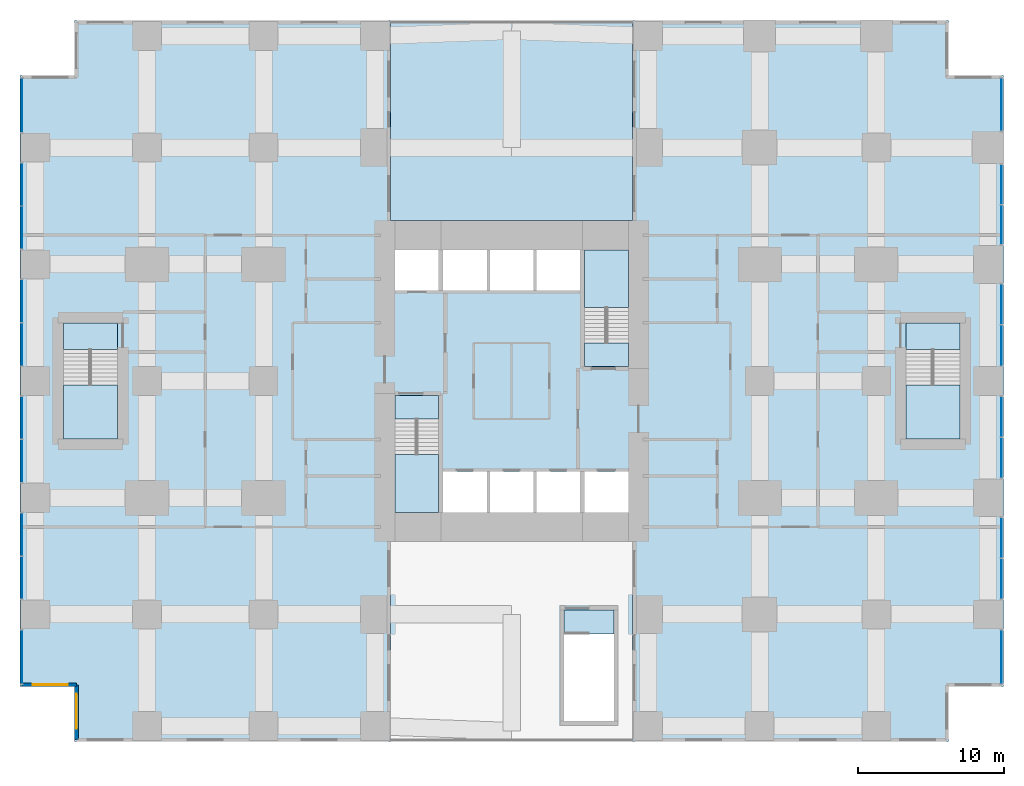
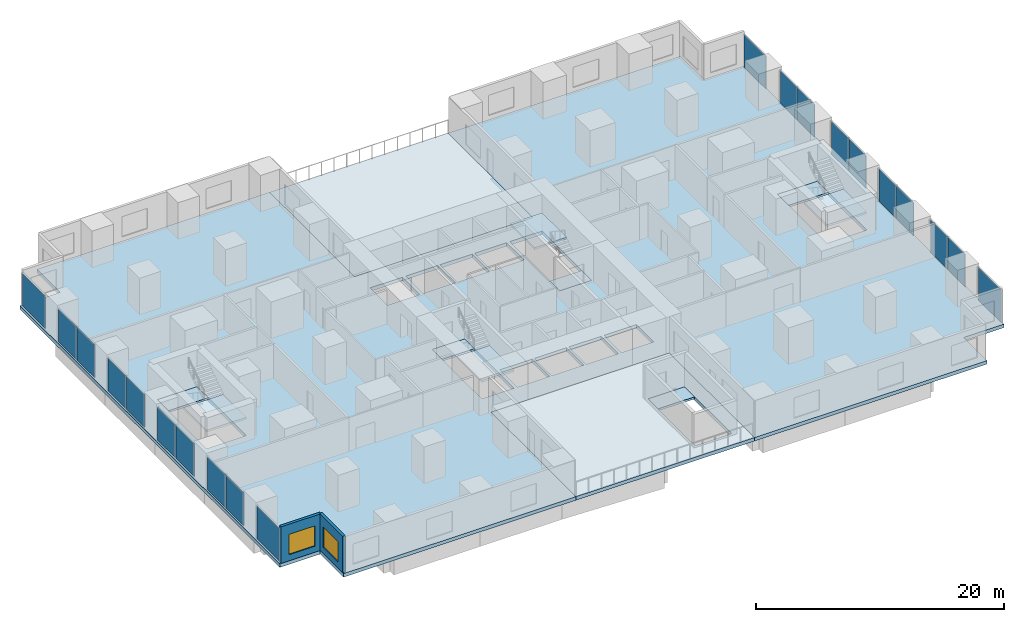
# One storey, part 9 of 15: 20 plates, 12 slabs, 2 walls, 2 windows, 2 openings, 16 elements without a shape of their own.
"""IFC4 building model written with IfcOpenShell, lengths in metres."""

from ifc_helpers import new_model, si_unit, direction, frame, frame_2d, origin, origin_2d, place, context, subcontext, project, spatial, polyline, rectangle, outline, extrude, material, layer, layer_set, type_object, element, fill, aggregate, save


model = new_model("IFC4")

# Units and contexts
model_context = context("Model", 3, precision=1e-05, world=origin(), true_north=direction((0.0, 1.0)))
body_context = subcontext(model_context, "Body", "Model", "MODEL_VIEW")
ifc_project = project(units=[si_unit("LENGTHUNIT", "METRE"), si_unit("AREAUNIT", "SQUARE_METRE"), si_unit("VOLUMEUNIT", "CUBIC_METRE"), si_unit("PLANEANGLEUNIT", "RADIAN"), si_unit("MASSUNIT", "GRAM", prefix="KILO")], contexts=[model_context])

# Site, building, storey
site_placement = place(None, origin())
site = spatial("IfcSite", under=ifc_project, at=site_placement, CompositionType="ELEMENT")
building_placement = place(site_placement, origin())
building = spatial("IfcBuilding", under=site, at=building_placement, Name="Cleftline Residences", CompositionType="ELEMENT")
storey_placement = place(building_placement, frame((0.0, 0.0, 26.0)))
storey = spatial("IfcBuildingStorey", under=building, at=storey_placement, Name="L05", CompositionType="ELEMENT", Elevation=26.0)

# Curtain wall, plate
ifc_material_1 = material(Name="Aluminium framed curtain wall", Category="aluminium")
ifc_layer_1 = layer(ifc_material_1, 0.199951171875)
ifc_layer_set_1 = layer_set([ifc_layer_1], Name="CW4 SKY LOUNGE GLAZING")
curtain_wall_type = type_object("IfcCurtainWallType", Name="CW4 SKY LOUNGE GLAZING", PredefinedType="NOTDEFINED", material=ifc_layer_set_1)
curtain_wall_1_placement = place(storey_placement, origin())
curtain_wall_1 = element("IfcCurtainWall", 1, at=curtain_wall_1_placement, inside=storey, type_object=curtain_wall_type, Name="Curtain wall CW4", PredefinedType="NOTDEFINED")
ifc_material_2 = material(Name="Laminated clear glass", Category="glass")
ifc_layer_2 = layer(ifc_material_2, 0.028076171875)
ifc_layer_set_2 = layer_set([ifc_layer_2], Name="CW4 GLASS PANEL")
plate_type = type_object("IfcPlateType", Name="CW4 GLASS PANEL", PredefinedType="CURTAIN_PANEL", material=ifc_layer_set_2)
plate_1_placement = place(storey_placement, frame((66.574951171875, 5.08740234375, 0.06494140625), z_axis=(0.0, 0.0, 1.0), x_axis=(0.0, 1.0, 0.0)))
plate_1 = element("IfcPlate", 2, at=plate_1_placement, type_object=plate_type, Name="CW4 panel 1.1", PredefinedType="CURTAIN_PANEL", context=body_context, shape_type="SweptSolid", body=[
    extrude(rectangle(XDim=3.695068359375, YDim=0.028076171875, at=origin_2d()), origin(), (0.0, 0.0, 1.0), 3.219970703125),
])
aggregate(curtain_wall_1, [plate_1])

# Curtain wall, plates
curtain_wall_2_placement = place(storey_placement, origin())
curtain_wall_2 = element("IfcCurtainWall", 3, at=curtain_wall_2_placement, inside=storey, type_object=curtain_wall_type, Name="Curtain wall CW4", PredefinedType="NOTDEFINED")
plate_2_placement = place(storey_placement, frame((66.574951171875, 10.441162109375, 0.06494140625), z_axis=(0.0, 0.0, 1.0), x_axis=(0.0, 1.0, 0.0)))
plate_2 = element("IfcPlate", 4, at=plate_2_placement, type_object=plate_type, Name="CW4 panel 1.1", PredefinedType="CURTAIN_PANEL", context=body_context, shape_type="SweptSolid", body=[
    extrude(rectangle(XDim=2.75244140625, YDim=0.028076171875, at=origin_2d()), origin(), (0.0, 0.0, 1.0), 3.219970703125),
])
plate_3_placement = place(storey_placement, frame((66.574951171875, 13.2587890625, 0.06494140625), z_axis=(0.0, 0.0, 1.0), x_axis=(0.0, 1.0, 0.0)))
plate_3 = element("IfcPlate", 5, at=plate_3_placement, type_object=plate_type, Name="CW4 panel 2.1", PredefinedType="CURTAIN_PANEL", context=body_context, shape_type="SweptSolid", body=[
    extrude(rectangle(XDim=2.75244140625, YDim=0.028076171875, at=origin_2d()), origin(), (0.0, 0.0, 1.0), 3.219970703125),
])
aggregate(curtain_wall_2, [plate_2, plate_3])

curtain_wall_3_placement = place(storey_placement, origin())
curtain_wall_3 = element("IfcCurtainWall", 6, at=curtain_wall_3_placement, inside=storey, type_object=curtain_wall_type, Name="Curtain wall CW4", PredefinedType="NOTDEFINED")
plate_4_placement = place(storey_placement, frame((66.574951171875, 18.7412109375, 0.06494140625), z_axis=(0.0, 0.0, 1.0), x_axis=(0.0, 1.0, 0.0)))
plate_4 = element("IfcPlate", 7, at=plate_4_placement, type_object=plate_type, Name="CW4 panel 1.1", PredefinedType="CURTAIN_PANEL", context=body_context, shape_type="SweptSolid", body=[
    extrude(rectangle(XDim=2.75244140625, YDim=0.028076171875, at=origin_2d()), origin(), (0.0, 0.0, 1.0), 3.219970703125),
])
plate_5_placement = place(storey_placement, frame((66.574951171875, 21.558837890625, 0.06494140625), z_axis=(0.0, 0.0, 1.0), x_axis=(0.0, 1.0, 0.0)))
plate_5 = element("IfcPlate", 8, at=plate_5_placement, type_object=plate_type, Name="CW4 panel 2.1", PredefinedType="CURTAIN_PANEL", context=body_context, shape_type="SweptSolid", body=[
    extrude(rectangle(XDim=2.75244140625, YDim=0.028076171875, at=origin_2d()), origin(), (0.0, 0.0, 1.0), 3.219970703125),
])
aggregate(curtain_wall_3, [plate_4, plate_5])

curtain_wall_4_placement = place(storey_placement, origin())
curtain_wall_4 = element("IfcCurtainWall", 9, at=curtain_wall_4_placement, inside=storey, type_object=curtain_wall_type, Name="Curtain wall CW4", PredefinedType="NOTDEFINED")
plate_6_placement = place(storey_placement, frame((66.574951171875, 26.441162109375, 0.06494140625), z_axis=(0.0, 0.0, 1.0), x_axis=(0.0, 1.0, 0.0)))
plate_6 = element("IfcPlate", 10, at=plate_6_placement, type_object=plate_type, Name="CW4 panel 1.1", PredefinedType="CURTAIN_PANEL", context=body_context, shape_type="SweptSolid", body=[
    extrude(rectangle(XDim=2.75244140625, YDim=0.028076171875, at=origin_2d()), origin(), (0.0, 0.0, 1.0), 3.219970703125),
])
plate_7_placement = place(storey_placement, frame((66.574951171875, 29.2587890625, 0.06494140625), z_axis=(0.0, 0.0, 1.0), x_axis=(0.0, 1.0, 0.0)))
plate_7 = element("IfcPlate", 11, at=plate_7_placement, type_object=plate_type, Name="CW4 panel 2.1", PredefinedType="CURTAIN_PANEL", context=body_context, shape_type="SweptSolid", body=[
    extrude(rectangle(XDim=2.75244140625, YDim=0.028076171875, at=origin_2d()), origin(), (0.0, 0.0, 1.0), 3.219970703125),
])
aggregate(curtain_wall_4, [plate_6, plate_7])

curtain_wall_5_placement = place(storey_placement, origin())
curtain_wall_5 = element("IfcCurtainWall", 12, at=curtain_wall_5_placement, inside=storey, type_object=curtain_wall_type, Name="Curtain wall CW4", PredefinedType="NOTDEFINED")
plate_8_placement = place(storey_placement, frame((66.574951171875, 34.71630859375, 0.06494140625), z_axis=(0.0, 0.0, 1.0), x_axis=(0.0, 1.0, 0.0)))
plate_8 = element("IfcPlate", 13, at=plate_8_placement, type_object=plate_type, Name="CW4 panel 1.1", PredefinedType="CURTAIN_PANEL", context=body_context, shape_type="SweptSolid", body=[
    extrude(rectangle(XDim=2.702392578125, YDim=0.028076171875, at=origin_2d()), origin(), (0.0, 0.0, 1.0), 3.219970703125),
])
plate_9_placement = place(storey_placement, frame((66.574951171875, 37.483642578125, 0.06494140625), z_axis=(0.0, 0.0, 1.0), x_axis=(0.0, 1.0, 0.0)))
plate_9 = element("IfcPlate", 14, at=plate_9_placement, type_object=plate_type, Name="CW4 panel 2.1", PredefinedType="CURTAIN_PANEL", context=body_context, shape_type="SweptSolid", body=[
    extrude(rectangle(XDim=2.702392578125, YDim=0.028076171875, at=origin_2d()), origin(), (0.0, 0.0, 1.0), 3.219970703125),
])
aggregate(curtain_wall_5, [plate_8, plate_9])

# Curtain wall, plate
curtain_wall_6_placement = place(storey_placement, origin())
curtain_wall_6 = element("IfcCurtainWall", 15, at=curtain_wall_6_placement, inside=storey, type_object=curtain_wall_type, Name="Curtain wall CW4", PredefinedType="NOTDEFINED")
plate_10_placement = place(storey_placement, frame((66.574951171875, 42.96240234375, 0.06494140625), z_axis=(0.0, 0.0, 1.0), x_axis=(0.0, 1.0, 0.0)))
plate_10 = element("IfcPlate", 16, at=plate_10_placement, type_object=plate_type, Name="CW4 panel 1.1", PredefinedType="CURTAIN_PANEL", context=body_context, shape_type="SweptSolid", body=[
    extrude(rectangle(XDim=3.594970703125, YDim=0.028076171875, at=origin_2d()), origin(), (0.0, 0.0, 1.0), 3.219970703125),
])
aggregate(curtain_wall_6, [plate_10])

curtain_wall_7_placement = place(storey_placement, origin())
curtain_wall_7 = element("IfcCurtainWall", 17, at=curtain_wall_7_placement, inside=storey, type_object=curtain_wall_type, Name="Curtain wall CW4", PredefinedType="NOTDEFINED")
plate_11_placement = place(storey_placement, frame((-0.574951171875, 42.91259765625, 0.06494140625), z_axis=(0.0, 0.0, 1.0), x_axis=(0.0, -1.0, 0.0)))
plate_11 = element("IfcPlate", 18, at=plate_11_placement, type_object=plate_type, Name="CW4 panel 1.1", PredefinedType="CURTAIN_PANEL", context=body_context, shape_type="SweptSolid", body=[
    extrude(rectangle(XDim=3.695068359375, YDim=0.028076171875, at=origin_2d()), origin(), (0.0, 0.0, 1.0), 3.219970703125),
])
aggregate(curtain_wall_7, [plate_11])

# Curtain wall, plates
curtain_wall_8_placement = place(storey_placement, origin())
curtain_wall_8 = element("IfcCurtainWall", 19, at=curtain_wall_8_placement, inside=storey, type_object=curtain_wall_type, Name="Curtain wall CW4", PredefinedType="NOTDEFINED")
plate_12_placement = place(storey_placement, frame((-0.574951171875, 37.483642578125, 0.06494140625), z_axis=(0.0, 0.0, 1.0), x_axis=(0.0, -1.0, 0.0)))
plate_12 = element("IfcPlate", 20, at=plate_12_placement, type_object=plate_type, Name="CW4 panel 1.1", PredefinedType="CURTAIN_PANEL", context=body_context, shape_type="SweptSolid", body=[
    extrude(rectangle(XDim=2.902587890625, YDim=0.028076171875, at=origin_2d()), origin(), (0.0, 0.0, 1.0), 3.219970703125),
])
plate_13_placement = place(storey_placement, frame((-0.574951171875, 34.516357421875, 0.06494140625), z_axis=(0.0, 0.0, 1.0), x_axis=(0.0, -1.0, 0.0)))
plate_13 = element("IfcPlate", 21, at=plate_13_placement, type_object=plate_type, Name="CW4 panel 2.1", PredefinedType="CURTAIN_PANEL", context=body_context, shape_type="SweptSolid", body=[
    extrude(rectangle(XDim=2.902587890625, YDim=0.028076171875, at=origin_2d()), origin(), (0.0, 0.0, 1.0), 3.219970703125),
])
aggregate(curtain_wall_8, [plate_12, plate_13])

curtain_wall_9_placement = place(storey_placement, origin())
curtain_wall_9 = element("IfcCurtainWall", 22, at=curtain_wall_9_placement, inside=storey, type_object=curtain_wall_type, Name="Curtain wall CW4", PredefinedType="NOTDEFINED")
plate_14_placement = place(storey_placement, frame((-0.574951171875, 29.483642578125, 0.06494140625), z_axis=(0.0, 0.0, 1.0), x_axis=(0.0, -1.0, 0.0)))
plate_14 = element("IfcPlate", 23, at=plate_14_placement, type_object=plate_type, Name="CW4 panel 1.1", PredefinedType="CURTAIN_PANEL", context=body_context, shape_type="SweptSolid", body=[
    extrude(rectangle(XDim=2.902587890625, YDim=0.028076171875, at=origin_2d()), origin(), (0.0, 0.0, 1.0), 3.219970703125),
])
plate_15_placement = place(storey_placement, frame((-0.574951171875, 26.516357421875, 0.06494140625), z_axis=(0.0, 0.0, 1.0), x_axis=(0.0, -1.0, 0.0)))
plate_15 = element("IfcPlate", 24, at=plate_15_placement, type_object=plate_type, Name="CW4 panel 2.1", PredefinedType="CURTAIN_PANEL", context=body_context, shape_type="SweptSolid", body=[
    extrude(rectangle(XDim=2.902587890625, YDim=0.028076171875, at=origin_2d()), origin(), (0.0, 0.0, 1.0), 3.219970703125),
])
aggregate(curtain_wall_9, [plate_14, plate_15])

curtain_wall_10_placement = place(storey_placement, origin())
curtain_wall_10 = element("IfcCurtainWall", 25, at=curtain_wall_10_placement, inside=storey, type_object=curtain_wall_type, Name="Curtain wall CW4", PredefinedType="NOTDEFINED")
plate_16_placement = place(storey_placement, frame((-0.574951171875, 21.483642578125, 0.06494140625), z_axis=(0.0, 0.0, 1.0), x_axis=(0.0, -1.0, 0.0)))
plate_16 = element("IfcPlate", 26, at=plate_16_placement, type_object=plate_type, Name="CW4 panel 1.1", PredefinedType="CURTAIN_PANEL", context=body_context, shape_type="SweptSolid", body=[
    extrude(rectangle(XDim=2.902587890625, YDim=0.028076171875, at=origin_2d()), origin(), (0.0, 0.0, 1.0), 3.219970703125),
])
plate_17_placement = place(storey_placement, frame((-0.574951171875, 18.516357421875, 0.06494140625), z_axis=(0.0, 0.0, 1.0), x_axis=(0.0, -1.0, 0.0)))
plate_17 = element("IfcPlate", 27, at=plate_17_placement, type_object=plate_type, Name="CW4 panel 2.1", PredefinedType="CURTAIN_PANEL", context=body_context, shape_type="SweptSolid", body=[
    extrude(rectangle(XDim=2.902587890625, YDim=0.028076171875, at=origin_2d()), origin(), (0.0, 0.0, 1.0), 3.219970703125),
])
aggregate(curtain_wall_10, [plate_16, plate_17])

curtain_wall_11_placement = place(storey_placement, origin())
curtain_wall_11 = element("IfcCurtainWall", 28, at=curtain_wall_11_placement, inside=storey, type_object=curtain_wall_type, Name="Curtain wall CW4", PredefinedType="NOTDEFINED")
plate_18_placement = place(storey_placement, frame((-0.574951171875, 13.483642578125, 0.06494140625), z_axis=(0.0, 0.0, 1.0), x_axis=(0.0, -1.0, 0.0)))
plate_18 = element("IfcPlate", 29, at=plate_18_placement, type_object=plate_type, Name="CW4 panel 1.1", PredefinedType="CURTAIN_PANEL", context=body_context, shape_type="SweptSolid", body=[
    extrude(rectangle(XDim=2.902587890625, YDim=0.028076171875, at=origin_2d()), origin(), (0.0, 0.0, 1.0), 3.219970703125),
])
plate_19_placement = place(storey_placement, frame((-0.574951171875, 10.516357421875, 0.06494140625), z_axis=(0.0, 0.0, 1.0), x_axis=(0.0, -1.0, 0.0)))
plate_19 = element("IfcPlate", 30, at=plate_19_placement, type_object=plate_type, Name="CW4 panel 2.1", PredefinedType="CURTAIN_PANEL", context=body_context, shape_type="SweptSolid", body=[
    extrude(rectangle(XDim=2.902587890625, YDim=0.028076171875, at=origin_2d()), origin(), (0.0, 0.0, 1.0), 3.219970703125),
])
aggregate(curtain_wall_11, [plate_18, plate_19])

# Curtain wall, plate
curtain_wall_12_placement = place(storey_placement, origin())
curtain_wall_12 = element("IfcCurtainWall", 31, at=curtain_wall_12_placement, inside=storey, type_object=curtain_wall_type, Name="Curtain wall CW4", PredefinedType="NOTDEFINED")
plate_20_placement = place(storey_placement, frame((-0.574951171875, 5.08740234375, 0.06494140625), z_axis=(0.0, 0.0, 1.0), x_axis=(0.0, -1.0, 0.0)))
plate_20 = element("IfcPlate", 32, at=plate_20_placement, type_object=plate_type, Name="CW4 panel 1.1", PredefinedType="CURTAIN_PANEL", context=body_context, shape_type="SweptSolid", body=[
    extrude(rectangle(XDim=3.695068359375, YDim=0.028076171875, at=origin_2d()), origin(), (0.0, 0.0, 1.0), 3.219970703125),
])
aggregate(curtain_wall_12, [plate_20])

# Slab
ifc_material_3 = material(Name="Concrete B45", Category="concrete")
ifc_layer_3 = layer(ifc_material_3, 0.35009765625)
ifc_layer_set_3 = layer_set([ifc_layer_3], Name="FLOOR SLAB 350")
slab_type_1 = type_object("IfcSlabType", Name="FLOOR SLAB 350", PredefinedType="FLOOR", material=ifc_layer_set_3)
slab_1_placement = place(storey_placement, frame((0.0, 0.0, -0.35009765625)))
element("IfcSlab", 33, at=slab_1_placement, inside=storey, type_object=slab_type_1, Name="Floor slab L05", PredefinedType="FLOOR", context=body_context, shape_type="SweptSolid", body=[
    extrude(outline(polyline([(24.699951171875, 13.0), (41.300048828125, 13.0), (41.300048828125, -0.699951171875), (62.949951171875, -0.699951171875), (62.949951171875, 3.050048828125), (66.699951171875, 3.050048828125), (66.699951171875, 44.949951171875), (62.949951171875, 44.949951171875), (62.949951171875, 48.699951171875), (41.300048828125, 48.699951171875), (41.300048828125, 35.0), (24.699951171875, 35.0), (24.699951171875, 48.699951171875), (3.050048828125, 48.699951171875), (3.050048828125, 44.949951171875), (-0.699951171875, 44.949951171875), (-0.699951171875, 3.050048828125), (3.050048828125, 3.050048828125), (3.050048828125, -0.699951171875), (24.699951171875, -0.699951171875), (24.699951171875, 13.0)]), holes=[polyline([(28.0, 15.0), (28.0, 23.0), (25.0, 23.0), (25.0, 15.0), (28.0, 15.0)]), polyline([(41.0, 25.0), (41.0, 33.0), (38.0, 33.0), (38.0, 25.0), (41.0, 25.0)]), polyline([(28.0, 30.199951171875), (28.0, 33.0), (25.0, 33.0), (25.0, 30.199951171875), (28.0, 30.199951171875)]), polyline([(41.0, 15.0), (41.0, 17.800048828125), (38.0, 17.800048828125), (38.0, 15.0), (41.0, 15.0)]), polyline([(31.300048828125, 15.0), (31.300048828125, 17.800048828125), (28.300048828125, 17.800048828125), (28.300048828125, 15.0), (31.300048828125, 15.0)]), polyline([(34.5, 15.0), (34.5, 17.800048828125), (31.5, 17.800048828125), (31.5, 15.0), (34.5, 15.0)]), polyline([(37.699951171875, 15.0), (37.699951171875, 17.800048828125), (34.699951171875, 17.800048828125), (34.699951171875, 15.0), (37.699951171875, 15.0)]), polyline([(31.300048828125, 30.199951171875), (31.300048828125, 33.0), (28.300048828125, 33.0), (28.300048828125, 30.199951171875), (31.300048828125, 30.199951171875)]), polyline([(34.5, 30.199951171875), (34.5, 33.0), (31.5, 33.0), (31.5, 30.199951171875), (34.5, 30.199951171875)]), polyline([(37.699951171875, 30.199951171875), (37.699951171875, 33.0), (34.699951171875, 33.0), (34.699951171875, 30.199951171875), (37.699951171875, 30.199951171875)]), polyline([(63.72509765625, 20.02490234375), (63.72509765625, 27.97509765625), (60.02490234375, 27.97509765625), (60.02490234375, 20.02490234375), (63.72509765625, 20.02490234375)]), polyline([(5.97509765625, 20.02490234375), (5.97509765625, 27.97509765625), (2.27490234375, 27.97509765625), (2.27490234375, 20.02490234375), (5.97509765625, 20.02490234375)])]), origin(), (0.0, 0.0, 1.0), 0.35009765625),
])

# Stair, slabs
ifc_material_4 = material(Name="Concrete B45, stone treads", Category="masonry")
stair_type_1 = type_object("IfcStairType", Name="STAIR A 1450 WIDE 180 RISER", PredefinedType="HALF_TURN_STAIR", material=ifc_material_4)
stair_1_placement = place(storey_placement, origin())
stair_1 = element("IfcStair", 34, at=stair_1_placement, inside=storey, type_object=stair_type_1, Name="Stair A L05", PredefinedType="HALF_TURN_STAIR")
ifc_material_5 = material(Name="Concrete B45", Category="concrete")
ifc_layer_4 = layer(ifc_material_5, 0.199951171875)
ifc_layer_set_4 = layer_set([ifc_layer_4], Name="STAIR LANDING 200")
slab_type_2 = type_object("IfcSlabType", Name="STAIR LANDING 200", PredefinedType="LANDING", material=ifc_layer_set_4)
slab_2_placement = place(storey_placement, frame((0.0, 0.0, -0.199951171875)))
slab_2 = element("IfcSlab", 35, at=slab_2_placement, type_object=slab_type_2, Name="ST-A landing 1", PredefinedType="LANDING", context=body_context, shape_type="SweptSolid", body=[
    extrude(outline(polyline([(25.0, 21.39990234375), (28.0, 21.39990234375), (28.0, 23.0), (25.0, 23.0), (25.0, 21.39990234375)])), origin(), (0.0, 0.0, 1.0), 0.199951171875),
])
slab_3_placement = place(storey_placement, frame((0.0, 0.0, 1.60009765625)))
slab_3 = element("IfcSlab", 36, at=slab_3_placement, type_object=slab_type_2, Name="ST-A landing 2", PredefinedType="LANDING", context=body_context, shape_type="SweptSolid", body=[
    extrude(outline(polyline([(25.0, 15.0), (28.0, 15.0), (28.0, 18.969970703125), (25.0, 18.969970703125), (25.0, 15.0)])), origin(), (0.0, 0.0, 1.0), 0.199951171875),
])
aggregate(stair_1, [slab_2, slab_3])

ifc_material_6 = material(Name="Concrete B45, stone treads", Category="masonry")
stair_type_2 = type_object("IfcStairType", Name="STAIR B 1450 WIDE 180 RISER", PredefinedType="HALF_TURN_STAIR", material=ifc_material_6)
stair_2_placement = place(storey_placement, origin())
stair_2 = element("IfcStair", 37, at=stair_2_placement, inside=storey, type_object=stair_type_2, Name="Stair B L05", PredefinedType="HALF_TURN_STAIR")
slab_4_placement = place(storey_placement, frame((0.0, 0.0, -0.199951171875)))
slab_4 = element("IfcSlab", 38, at=slab_4_placement, type_object=slab_type_2, Name="ST-B landing 1", PredefinedType="LANDING", context=body_context, shape_type="SweptSolid", body=[
    extrude(outline(polyline([(38.0, 25.0), (41.0, 25.0), (41.0, 26.60009765625), (38.0, 26.60009765625), (38.0, 25.0)])), origin(), (0.0, 0.0, 1.0), 0.199951171875),
])
slab_5_placement = place(storey_placement, frame((0.0, 0.0, 1.60009765625)))
slab_5 = element("IfcSlab", 39, at=slab_5_placement, type_object=slab_type_2, Name="ST-B landing 2", PredefinedType="LANDING", context=body_context, shape_type="SweptSolid", body=[
    extrude(outline(polyline([(38.0, 29.030029296875), (41.0, 29.030029296875), (41.0, 33.0), (38.0, 33.0), (38.0, 29.030029296875)])), origin(), (0.0, 0.0, 1.0), 0.199951171875),
])
aggregate(stair_2, [slab_4, slab_5])

# Slab
slab_6_placement = place(storey_placement, frame((0.0, 0.0, -0.199951171875)))
element("IfcSlab", 40, at=slab_6_placement, inside=storey, type_object=slab_type_2, Name="Stair C2 top landing", PredefinedType="LANDING", context=body_context, shape_type="SweptSolid", body=[
    extrude(outline(polyline([(36.60009765625, 6.669921875), (40.0, 6.669921875), (40.0, 8.300048828125), (36.60009765625, 8.300048828125), (36.60009765625, 6.669921875)])), origin(), (0.0, 0.0, 1.0), 0.199951171875),
])

# Stair, slabs
ifc_material_7 = material(Name="Concrete B45, stone treads", Category="masonry")
stair_type_3 = type_object("IfcStairType", Name="STAIR E 1800 WIDE 180 RISER", PredefinedType="HALF_TURN_STAIR", material=ifc_material_7)
stair_3_placement = place(storey_placement, origin())
stair_3 = element("IfcStair", 41, at=stair_3_placement, inside=storey, type_object=stair_type_3, Name="Stair E L05", PredefinedType="HALF_TURN_STAIR")
slab_7_placement = place(storey_placement, frame((0.0, 0.0, -0.199951171875)))
slab_7 = element("IfcSlab", 42, at=slab_7_placement, type_object=slab_type_2, Name="ST-E landing 1", PredefinedType="LANDING", context=body_context, shape_type="SweptSolid", body=[
    extrude(outline(polyline([(60.02490234375, 26.175048828125), (63.72509765625, 26.175048828125), (63.72509765625, 27.97509765625), (60.02490234375, 27.97509765625), (60.02490234375, 26.175048828125)])), origin(), (0.0, 0.0, 1.0), 0.199951171875),
])
slab_8_placement = place(storey_placement, frame((0.0, 0.0, 1.60009765625)))
slab_8 = element("IfcSlab", 43, at=slab_8_placement, type_object=slab_type_2, Name="ST-E landing 2", PredefinedType="LANDING", context=body_context, shape_type="SweptSolid", body=[
    extrude(outline(polyline([(60.02490234375, 20.02490234375), (63.72509765625, 20.02490234375), (63.72509765625, 23.7451171875), (60.02490234375, 23.7451171875), (60.02490234375, 20.02490234375)])), origin(), (0.0, 0.0, 1.0), 0.199951171875),
])
aggregate(stair_3, [slab_7, slab_8])

ifc_material_8 = material(Name="Concrete B45, stone treads", Category="masonry")
stair_type_4 = type_object("IfcStairType", Name="STAIR W 1800 WIDE 180 RISER", PredefinedType="HALF_TURN_STAIR", material=ifc_material_8)
stair_4_placement = place(storey_placement, origin())
stair_4 = element("IfcStair", 44, at=stair_4_placement, inside=storey, type_object=stair_type_4, Name="Stair W L05", PredefinedType="HALF_TURN_STAIR")
slab_9_placement = place(storey_placement, frame((0.0, 0.0, -0.199951171875)))
slab_9 = element("IfcSlab", 45, at=slab_9_placement, type_object=slab_type_2, Name="ST-W landing 1", PredefinedType="LANDING", context=body_context, shape_type="SweptSolid", body=[
    extrude(outline(polyline([(2.27490234375, 26.175048828125), (5.97509765625, 26.175048828125), (5.97509765625, 27.97509765625), (2.27490234375, 27.97509765625), (2.27490234375, 26.175048828125)])), origin(), (0.0, 0.0, 1.0), 0.199951171875),
])
slab_10_placement = place(storey_placement, frame((0.0, 0.0, 1.60009765625)))
slab_10 = element("IfcSlab", 46, at=slab_10_placement, type_object=slab_type_2, Name="ST-W landing 2", PredefinedType="LANDING", context=body_context, shape_type="SweptSolid", body=[
    extrude(outline(polyline([(2.27490234375, 20.02490234375), (5.97509765625, 20.02490234375), (5.97509765625, 23.7451171875), (2.27490234375, 23.7451171875), (2.27490234375, 20.02490234375)])), origin(), (0.0, 0.0, 1.0), 0.199951171875),
])
aggregate(stair_4, [slab_9, slab_10])

# Slabs
ifc_material_9 = material(Name="Concrete B45", Category="concrete")
ifc_layer_5 = layer(ifc_material_9, 0.35009765625)
ifc_layer_set_5 = layer_set([ifc_layer_5], Name="TERRACE SLAB 350")
slab_type_3 = type_object("IfcSlabType", Name="TERRACE SLAB 350", PredefinedType="FLOOR", material=ifc_layer_set_5)
slab_11_placement = place(storey_placement, frame((0.0, 0.0, -0.35009765625)))
element("IfcSlab", 47, at=slab_11_placement, inside=storey, type_object=slab_type_3, Name="Terrace slab L05 1", PredefinedType="FLOOR", context=body_context, shape_type="SweptSolid", body=[
    extrude(outline(polyline([(41.2900390625, -0.699951171875), (41.291015625, -0.699951171875), (41.2919921875, -0.69970703125), (41.29296875, -0.69970703125), (41.293701171875, -0.69921875), (41.294677734375, -0.69873046875), (41.295654296875, -0.6982421875), (41.29638671875, -0.69775390625), (41.297119140625, -0.697021484375), (41.297607421875, -0.6962890625), (41.29833984375, -0.695556640625), (41.298828125, -0.694580078125), (41.29931640625, -0.69384765625), (41.299560546875, -0.69287109375), (41.2998046875, -0.69189453125), (41.300048828125, -0.69091796875), (41.300048828125, -0.68994140625), (41.300048828125, 12.989990234375), (41.300048828125, 12.990966796875), (41.2998046875, 12.991943359375), (41.299560546875, 12.992919921875), (41.29931640625, 12.993896484375), (41.298828125, 12.99462890625), (41.29833984375, 12.99560546875), (41.297607421875, 12.996337890625), (41.297119140625, 12.9970703125), (41.29638671875, 12.997802734375), (41.295654296875, 12.998291015625), (41.294677734375, 12.998779296875), (41.293701171875, 12.999267578125), (41.29296875, 12.99951171875), (41.2919921875, 12.999755859375), (41.291015625, 13.0), (41.2900390625, 13.0), (24.7099609375, 13.0), (24.708984375, 13.0), (24.7080078125, 12.999755859375), (24.70703125, 12.99951171875), (24.706298828125, 12.999267578125), (24.705322265625, 12.998779296875), (24.704345703125, 12.998291015625), (24.70361328125, 12.997802734375), (24.702880859375, 12.9970703125), (24.702392578125, 12.996337890625), (24.70166015625, 12.99560546875), (24.701171875, 12.99462890625), (24.70068359375, 12.993896484375), (24.700439453125, 12.992919921875), (24.7001953125, 12.991943359375), (24.699951171875, 12.990966796875), (24.699951171875, 12.989990234375), (24.699951171875, -0.68994140625), (24.699951171875, -0.69091796875), (24.7001953125, -0.69189453125), (24.700439453125, -0.69287109375), (24.70068359375, -0.69384765625), (24.701171875, -0.694580078125), (24.70166015625, -0.695556640625), (24.702392578125, -0.6962890625), (24.702880859375, -0.697021484375), (24.70361328125, -0.69775390625), (24.704345703125, -0.6982421875), (24.705322265625, -0.69873046875), (24.706298828125, -0.69921875), (24.70703125, -0.69970703125), (24.7080078125, -0.69970703125), (24.708984375, -0.699951171875), (24.7099609375, -0.699951171875), (41.2900390625, -0.699951171875)]), holes=[polyline([(40.0, 0.699951171875), (40.0, 8.300048828125), (36.60009765625, 8.300048828125), (36.60009765625, 0.699951171875), (40.0, 0.699951171875)])]), origin(), (0.0, 0.0, 1.0), 0.35009765625),
])
slab_12_placement = place(storey_placement, frame((0.0, 0.0, -0.35009765625)))
element("IfcSlab", 48, at=slab_12_placement, inside=storey, type_object=slab_type_3, Name="Terrace slab L05 2", PredefinedType="FLOOR", context=body_context, shape_type="SweptSolid", body=[
    extrude(outline(polyline([(24.7099609375, 48.699951171875), (24.708984375, 48.699951171875), (24.7080078125, 48.69970703125), (24.70703125, 48.69970703125), (24.706298828125, 48.69921875), (24.705322265625, 48.69873046875), (24.704345703125, 48.6982421875), (24.70361328125, 48.69775390625), (24.702880859375, 48.697021484375), (24.702392578125, 48.6962890625), (24.70166015625, 48.695556640625), (24.701171875, 48.694580078125), (24.70068359375, 48.69384765625), (24.700439453125, 48.69287109375), (24.7001953125, 48.69189453125), (24.699951171875, 48.69091796875), (24.699951171875, 48.68994140625), (24.699951171875, 35.010009765625), (24.699951171875, 35.009033203125), (24.7001953125, 35.008056640625), (24.700439453125, 35.007080078125), (24.70068359375, 35.006103515625), (24.701171875, 35.00537109375), (24.70166015625, 35.00439453125), (24.702392578125, 35.003662109375), (24.702880859375, 35.0029296875), (24.70361328125, 35.002197265625), (24.704345703125, 35.001708984375), (24.705322265625, 35.001220703125), (24.706298828125, 35.000732421875), (24.70703125, 35.00048828125), (24.7080078125, 35.000244140625), (24.708984375, 35.0), (24.7099609375, 35.0), (41.2900390625, 35.0), (41.291015625, 35.0), (41.2919921875, 35.000244140625), (41.29296875, 35.00048828125), (41.293701171875, 35.000732421875), (41.294677734375, 35.001220703125), (41.295654296875, 35.001708984375), (41.29638671875, 35.002197265625), (41.297119140625, 35.0029296875), (41.297607421875, 35.003662109375), (41.29833984375, 35.00439453125), (41.298828125, 35.00537109375), (41.29931640625, 35.006103515625), (41.299560546875, 35.007080078125), (41.2998046875, 35.008056640625), (41.300048828125, 35.009033203125), (41.300048828125, 35.010009765625), (41.300048828125, 48.68994140625), (41.300048828125, 48.69091796875), (41.2998046875, 48.69189453125), (41.299560546875, 48.69287109375), (41.29931640625, 48.69384765625), (41.298828125, 48.694580078125), (41.29833984375, 48.695556640625), (41.297607421875, 48.6962890625), (41.297119140625, 48.697021484375), (41.29638671875, 48.69775390625), (41.295654296875, 48.6982421875), (41.294677734375, 48.69873046875), (41.293701171875, 48.69921875), (41.29296875, 48.69970703125), (41.2919921875, 48.69970703125), (41.291015625, 48.699951171875), (41.2900390625, 48.699951171875), (24.7099609375, 48.699951171875)])), origin(), (0.0, 0.0, 1.0), 0.35009765625),
])

# Wall, opening, window
ifc_material_10 = material(Name="Rendered reinforced concrete blockwork", Category="masonry")
ifc_layer_6 = layer(ifc_material_10, 0.25)
ifc_layer_set_6 = layer_set([ifc_layer_6], Name="EXTERNAL WALL 250")
wall_type = type_object("IfcWallType", Name="EXTERNAL WALL 250", PredefinedType="SOLIDWALL", material=ifc_layer_set_6)
wall_1_placement = place(storey_placement, frame((-0.574951171875, 3.175048828125, 0.0), z_axis=(0.0, 0.0, 1.0), x_axis=(1.0, 0.0, 0.0)))
wall_1 = element("IfcWall", 49, at=wall_1_placement, inside=storey, type_object=wall_type, Name="External wall", PredefinedType="SOLIDWALL", context=body_context, shape_type="SweptSolid", body=[
    extrude(rectangle(XDim=3.75, YDim=0.25, at=frame_2d((1.875, 0.0))), origin(), (0.0, 0.0, 1.0), 3.60009765625),
])
opening_1_placement = place(wall_1_placement, frame((0.737548828125, 0.0, 0.60009765625)))
opening_1 = element("IfcOpeningElement", 50, at=opening_1_placement, cuts=wall_1, Name="Opening W6", PredefinedType="OPENING", context=body_context, shape_type="SweptSolid", body=[
    extrude(rectangle(XDim=2.39990234375, YDim=2.0, at=frame_2d((1.199951171875, 1.0))), frame((0.0, 0.135009765625, 0.0), z_axis=(0.0, -1.0, 0.0), x_axis=(1.0, 0.0, 0.0)), (0.0, 0.0, 1.0), 0.27001953125),
])
ifc_material_11 = material(Name="Aluminium frame, clear double glazing", Category="aluminium")
window_type = type_object("IfcWindowType", Name="WINDOW 2400X2000", PartitioningType="DOUBLE_PANEL_VERTICAL", PredefinedType="WINDOW", material=ifc_material_11)
window_1_placement = place(opening_1_placement, origin())
window_1 = element("IfcWindow", 51, at=window_1_placement, inside=storey, type_object=window_type, Name="Window", OverallHeight=2.0, OverallWidth=2.39990234375, PartitioningType="SINGLE_PANEL", PredefinedType="WINDOW", context=body_context, shape_type="SweptSolid", body=[
    extrude(rectangle(XDim=2.39990234375, YDim=2.0, at=frame_2d((1.199951171875, 1.0))), frame((0.0, 0.030029296875, 0.0), z_axis=(0.0, -1.0, 0.0), x_axis=(1.0, 0.0, 0.0)), (0.0, 0.0, 1.0), 0.06005859375),
])
fill(opening_1, window_1)

wall_2_placement = place(storey_placement, frame((3.175048828125, 3.175048828125, 0.0), z_axis=(0.0, 0.0, 1.0), x_axis=(0.0, -1.0, 0.0)))
wall_2 = element("IfcWall", 52, at=wall_2_placement, inside=storey, type_object=wall_type, Name="External wall", PredefinedType="SOLIDWALL", context=body_context, shape_type="SweptSolid", body=[
    extrude(rectangle(XDim=3.75, YDim=0.25, at=frame_2d((1.875, 0.0))), origin(), (0.0, 0.0, 1.0), 3.60009765625),
])
opening_2_placement = place(wall_2_placement, frame((0.612548828125, 0.0, 0.60009765625)))
opening_2 = element("IfcOpeningElement", 53, at=opening_2_placement, cuts=wall_2, Name="Opening W6", PredefinedType="OPENING", context=body_context, shape_type="SweptSolid", body=[
    extrude(rectangle(XDim=2.39990234375, YDim=2.0, at=frame_2d((1.199951171875, 1.0))), frame((0.0, 0.135009765625, 0.0), z_axis=(0.0, -1.0, 0.0), x_axis=(1.0, 0.0, 0.0)), (0.0, 0.0, 1.0), 0.27001953125),
])
window_2_placement = place(opening_2_placement, origin())
window_2 = element("IfcWindow", 54, at=window_2_placement, inside=storey, type_object=window_type, Name="Window", OverallHeight=2.0, OverallWidth=2.39990234375, PartitioningType="SINGLE_PANEL", PredefinedType="WINDOW", context=body_context, shape_type="SweptSolid", body=[
    extrude(rectangle(XDim=2.39990234375, YDim=2.0, at=frame_2d((1.199951171875, 1.0))), frame((0.0, 0.030029296875, 0.0), z_axis=(0.0, -1.0, 0.0), x_axis=(1.0, 0.0, 0.0)), (0.0, 0.0, 1.0), 0.06005859375),
])
fill(opening_2, window_2)

save(model, "model.ifc")
